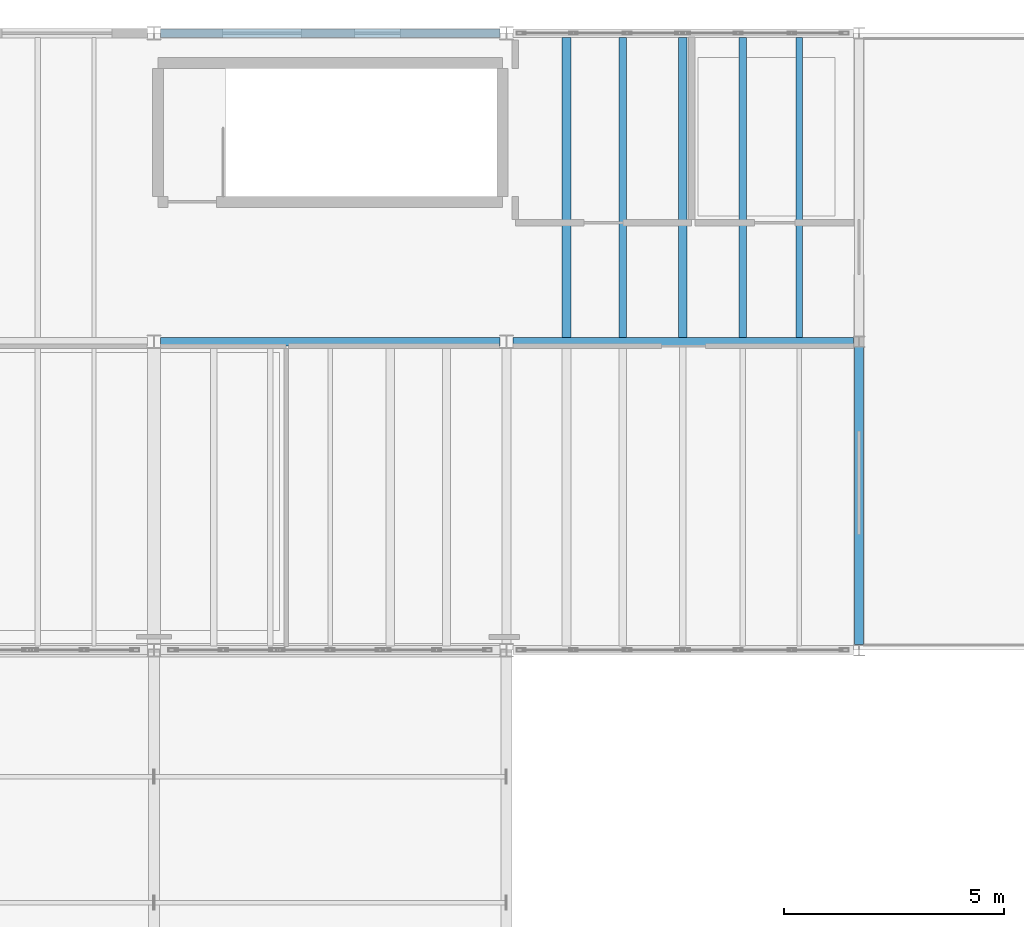
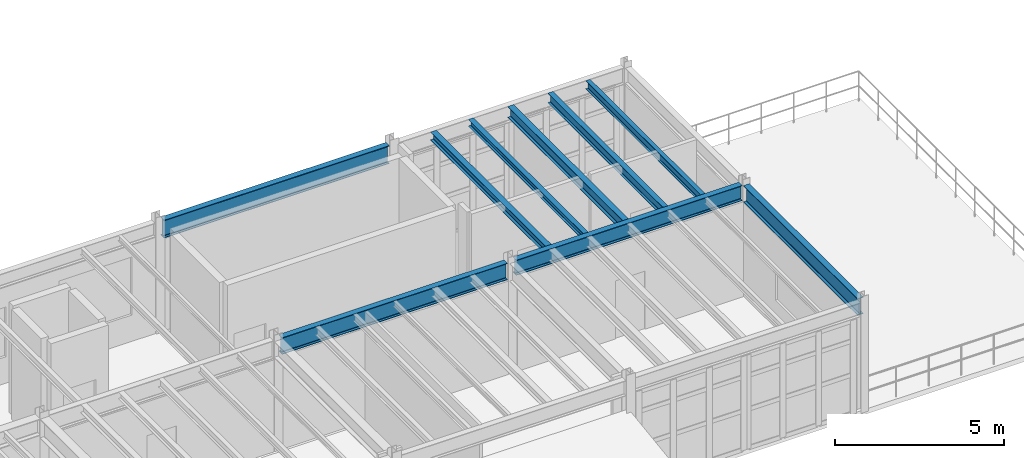
# One storey, part 18 of 77: 9 beams.
"""IFC4 building model written with IfcOpenShell, lengths in metres."""

from ifc_helpers import new_model, si_unit, direction, frame, origin, origin_2d, place, context, subcontext, project, spatial, i_section, extrude, material, material_profile, profile_set, type_object, element, save


model = new_model("IFC4")

# Units and contexts
model_context = context("Model", 3, precision=1e-05, world=origin(), true_north=direction((0.0, 1.0)))
body_context = subcontext(model_context, "Body", "Model", "MODEL_VIEW")
ifc_project = project(units=[si_unit("LENGTHUNIT", "METRE"), si_unit("AREAUNIT", "SQUARE_METRE"), si_unit("VOLUMEUNIT", "CUBIC_METRE"), si_unit("PLANEANGLEUNIT", "RADIAN"), si_unit("MASSUNIT", "GRAM", prefix="KILO"), si_unit("THERMODYNAMICTEMPERATUREUNIT", "KELVIN"), si_unit("POWERUNIT", "WATT")], contexts=[model_context])

# Site, building, storey
site_placement = place(None, origin())
site = spatial("IfcSite", under=ifc_project, at=site_placement, CompositionType="ELEMENT")
building_placement = place(site_placement, origin())
building = spatial("IfcBuilding", under=site, at=building_placement, Name="Zhenchuan Central Fire Station", CompositionType="ELEMENT")
storey_placement = place(building_placement, frame((0.0, 0.0, 10.050048828125)))
storey = spatial("IfcBuildingStorey", under=building, at=storey_placement, Name="L03", CompositionType="ELEMENT", Elevation=10.050048828125)

# Beams
ifc_material = material(Name="Steel Q355B", Category="steel")
ifc_material_profile_1 = material_profile(ifc_material, i_section(OverallWidth=0.199951171875, OverallDepth=0.550048828125, WebThickness=0.010009765625, FlangeThickness=0.01611328125, FilletRadius=0.02001953125, at=origin_2d()), Name="HN 550x200")
ifc_profile_set_1 = profile_set([ifc_material_profile_1], Name="Steel Q355B")
beam_type_1 = type_object("IfcBeamType", Name="BM-HN550-INT", PredefinedType="BEAM", material=ifc_profile_set_1)
beam_1_placement = place(storey_placement, frame((40.14990234375, 49.5, 3.704833984375), z_axis=(1.0, 0.0, 0.0), x_axis=(0.0, 1.0, 0.0)))
element("IfcBeam", 1, at=beam_1_placement, inside=storey, type_object=beam_type_1, Name="L04 Girder EW 0377", PredefinedType="BEAM", context=body_context, shape_type="SweptSolid", body=[
    extrude(i_section(OverallWidth=0.199951171875, OverallDepth=0.550048828125, WebThickness=0.010009765625, FlangeThickness=0.01611328125, FilletRadius=0.02001953125, at=origin_2d()), origin(), (0.0, 0.0, 1.0), 7.72509765625),
])
ifc_material_profile_2 = material_profile(ifc_material, i_section(OverallWidth=0.199951171875, OverallDepth=0.60009765625, WebThickness=0.010986328125, FlangeThickness=0.01708984375, FilletRadius=0.02197265625, at=origin_2d()), Name="HN 600x200")
ifc_profile_set_2 = profile_set([ifc_material_profile_2], Name="Steel Q355B")
beam_type_2 = type_object("IfcBeamType", Name="BM-HN600-INT", PredefinedType="BEAM", material=ifc_profile_set_2)
beam_2_placement = place(storey_placement, frame((32.14990234375, 49.5, 3.679931640625), z_axis=(1.0, 0.0, 0.0), x_axis=(0.0, 1.0, 0.0)))
element("IfcBeam", 2, at=beam_2_placement, inside=storey, type_object=beam_type_2, Name="L04 Girder EW 0376", PredefinedType="BEAM", context=body_context, shape_type="SweptSolid", body=[
    extrude(i_section(OverallWidth=0.199951171875, OverallDepth=0.60009765625, WebThickness=0.010986328125, FlangeThickness=0.01708984375, FilletRadius=0.02197265625, at=origin_2d()), origin(), (0.0, 0.0, 1.0), 7.7001953125),
])
beam_3_placement = place(storey_placement, frame((48.0, 42.625, 3.679931640625), z_axis=(0.0, 1.0, 0.0), x_axis=(-1.0, 0.0, 0.0)))
element("IfcBeam", 3, at=beam_3_placement, inside=storey, type_object=beam_type_2, Name="L04 Girder NS 0398", PredefinedType="BEAM", context=body_context, shape_type="SweptSolid", body=[
    extrude(i_section(OverallWidth=0.199951171875, OverallDepth=0.60009765625, WebThickness=0.010986328125, FlangeThickness=0.01708984375, FilletRadius=0.02197265625, at=origin_2d()), origin(), (0.0, 0.0, 1.0), 6.75),
])
ifc_material_profile_3 = material_profile(ifc_material, i_section(OverallWidth=0.199951171875, OverallDepth=0.64990234375, WebThickness=0.011962890625, FlangeThickness=0.02001953125, FilletRadius=0.02197265625, at=origin_2d()), Name="HN 650x200")
ifc_profile_set_3 = profile_set([ifc_material_profile_3], Name="Steel Q355B")
beam_type_3 = type_object("IfcBeamType", Name="BM-HN650-EXT", PredefinedType="BEAM", material=ifc_profile_set_3)
beam_4_placement = place(storey_placement, frame((32.14990234375, 56.5, 3.655029296875), z_axis=(1.0, 0.0, 0.0), x_axis=(0.0, 1.0, 0.0)))
element("IfcBeam", 4, at=beam_4_placement, inside=storey, type_object=beam_type_3, Name="L04 Girder EW 0386", PredefinedType="BEAM", context=body_context, shape_type="SweptSolid", body=[
    extrude(i_section(OverallWidth=0.199951171875, OverallDepth=0.64990234375, WebThickness=0.011962890625, FlangeThickness=0.02001953125, FilletRadius=0.02197265625, at=origin_2d()), origin(), (0.0, 0.0, 1.0), 7.7001953125),
])
ifc_material_profile_4 = material_profile(ifc_material, i_section(OverallWidth=0.175048828125, OverallDepth=0.243896484375, WebThickness=0.007080078125, FlangeThickness=0.010986328125, FilletRadius=0.012939453125, at=origin_2d()), Name="HM 244x175")
ifc_profile_set_4 = profile_set([ifc_material_profile_4], Name="Steel Q355B")
beam_type_4 = type_object("IfcBeamType", Name="JS-HM244", PredefinedType="JOIST", material=ifc_profile_set_4)
beam_5_placement = place(storey_placement, frame((42.639892578125, 49.596923828125, 3.85791015625), z_axis=(0.0, 1.0, 0.0), x_axis=(-1.0, 0.0, 0.0)))
element("IfcBeam", 5, at=beam_5_placement, inside=storey, type_object=beam_type_4, Name="L04 Secondary Joist 0693", PredefinedType="JOIST", context=body_context, shape_type="SweptSolid", body=[
    extrude(i_section(OverallWidth=0.175048828125, OverallDepth=0.243896484375, WebThickness=0.007080078125, FlangeThickness=0.010986328125, FilletRadius=0.012939453125, at=origin_2d()), origin(), (0.0, 0.0, 1.0), 6.80615234375),
])
ifc_material_profile_5 = material_profile(ifc_material, i_section(OverallWidth=0.199951171875, OverallDepth=0.2939453125, WebThickness=0.008056640625, FlangeThickness=0.011962890625, FilletRadius=0.01611328125, at=origin_2d()), Name="HM 294x200")
ifc_profile_set_5 = profile_set([ifc_material_profile_5], Name="Steel Q355B")
beam_type_5 = type_object("IfcBeamType", Name="JS-HM294", PredefinedType="JOIST", material=ifc_profile_set_5)
beam_6_placement = place(storey_placement, frame((41.360107421875, 49.596923828125, 3.8330078125), z_axis=(0.0, 1.0, 0.0), x_axis=(-1.0, 0.0, 0.0)))
element("IfcBeam", 6, at=beam_6_placement, inside=storey, type_object=beam_type_5, Name="L04 Secondary Joist 0692", PredefinedType="JOIST", context=body_context, shape_type="SweptSolid", body=[
    extrude(i_section(OverallWidth=0.199951171875, OverallDepth=0.2939453125, WebThickness=0.008056640625, FlangeThickness=0.011962890625, FilletRadius=0.01611328125, at=origin_2d()), origin(), (0.0, 0.0, 1.0), 6.80615234375),
])
ifc_material_profile_6 = material_profile(ifc_material, i_section(OverallWidth=0.14990234375, OverallDepth=0.300048828125, WebThickness=0.006591796875, FlangeThickness=0.009033203125, FilletRadius=0.012939453125, at=origin_2d()), Name="HN 300x150")
ifc_profile_set_6 = profile_set([ifc_material_profile_6], Name="Steel Q355B")
beam_type_6 = type_object("IfcBeamType", Name="JS-HN300", PredefinedType="JOIST", material=ifc_profile_set_6)
beam_7_placement = place(storey_placement, frame((46.639892578125, 49.596923828125, 3.829833984375), z_axis=(0.0, 1.0, 0.0), x_axis=(-1.0, 0.0, 0.0)))
element("IfcBeam", 7, at=beam_7_placement, inside=storey, type_object=beam_type_6, Name="L04 Secondary Joist 0696", PredefinedType="JOIST", context=body_context, shape_type="SweptSolid", body=[
    extrude(i_section(OverallWidth=0.14990234375, OverallDepth=0.300048828125, WebThickness=0.006591796875, FlangeThickness=0.009033203125, FilletRadius=0.012939453125, at=origin_2d()), origin(), (0.0, 0.0, 1.0), 6.80615234375),
])
ifc_material_profile_7 = material_profile(ifc_material, i_section(OverallWidth=0.175048828125, OverallDepth=0.35009765625, WebThickness=0.007080078125, FlangeThickness=0.010986328125, FilletRadius=0.013916015625, at=origin_2d()), Name="HN 350x175")
ifc_profile_set_7 = profile_set([ifc_material_profile_7], Name="Steel Q355B")
beam_type_7 = type_object("IfcBeamType", Name="JS-HN350", PredefinedType="JOIST", material=ifc_profile_set_7)
beam_8_placement = place(storey_placement, frame((45.360107421875, 49.596923828125, 3.804931640625), z_axis=(0.0, 1.0, 0.0), x_axis=(-1.0, 0.0, 0.0)))
element("IfcBeam", 8, at=beam_8_placement, inside=storey, type_object=beam_type_7, Name="L04 Secondary Joist 0695", PredefinedType="JOIST", context=body_context, shape_type="SweptSolid", body=[
    extrude(i_section(OverallWidth=0.175048828125, OverallDepth=0.35009765625, WebThickness=0.007080078125, FlangeThickness=0.010986328125, FilletRadius=0.013916015625, at=origin_2d()), origin(), (0.0, 0.0, 1.0), 6.80615234375),
])
ifc_material_profile_8 = material_profile(ifc_material, i_section(OverallWidth=0.199951171875, OverallDepth=0.39990234375, WebThickness=0.008056640625, FlangeThickness=0.012939453125, FilletRadius=0.01611328125, at=origin_2d()), Name="HN 400x200")
ifc_profile_set_8 = profile_set([ifc_material_profile_8], Name="Steel Q355B")
beam_type_8 = type_object("IfcBeamType", Name="JS-HN400", PredefinedType="JOIST", material=ifc_profile_set_8)
beam_9_placement = place(storey_placement, frame((44.0, 49.596923828125, 3.780029296875), z_axis=(0.0, 1.0, 0.0), x_axis=(-1.0, 0.0, 0.0)))
element("IfcBeam", 9, at=beam_9_placement, inside=storey, type_object=beam_type_8, Name="L04 Secondary Joist 0694", PredefinedType="JOIST", context=body_context, shape_type="SweptSolid", body=[
    extrude(i_section(OverallWidth=0.199951171875, OverallDepth=0.39990234375, WebThickness=0.008056640625, FlangeThickness=0.012939453125, FilletRadius=0.01611328125, at=origin_2d()), origin(), (0.0, 0.0, 1.0), 6.80615234375),
])

save(model, "model.ifc")
